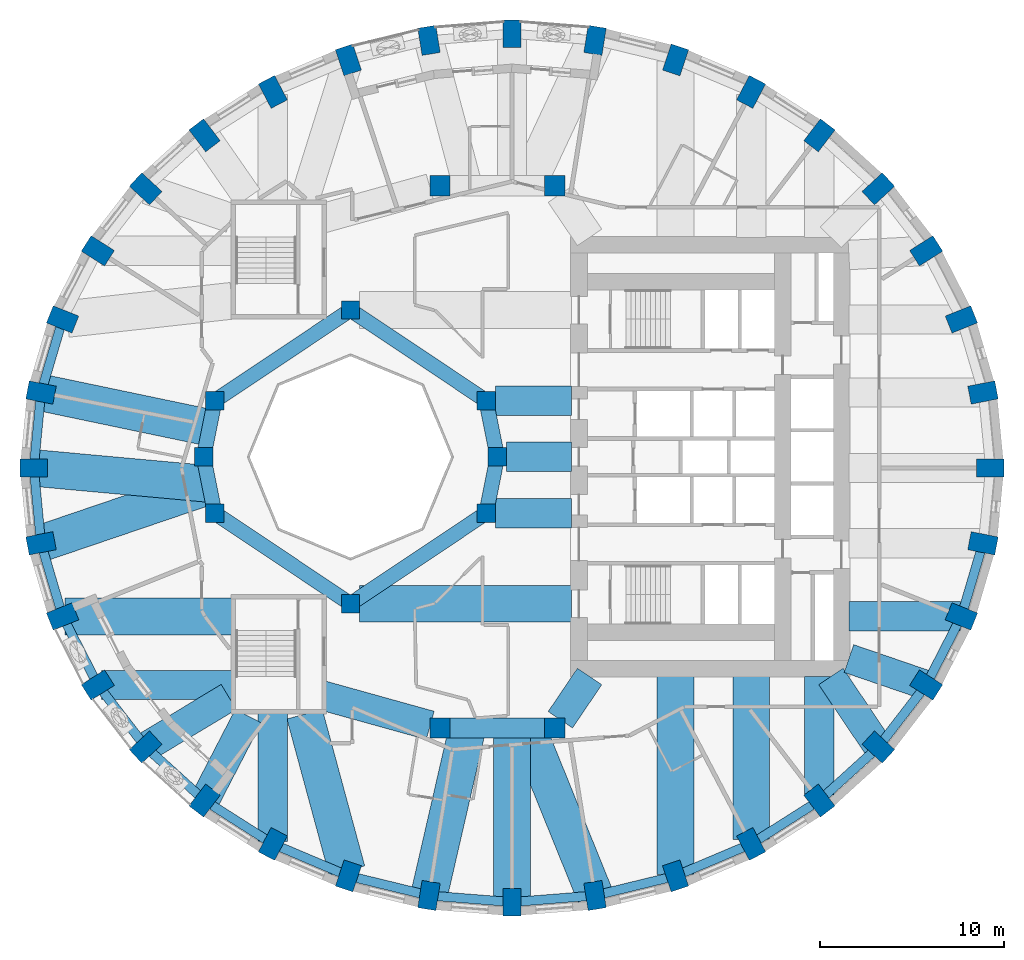
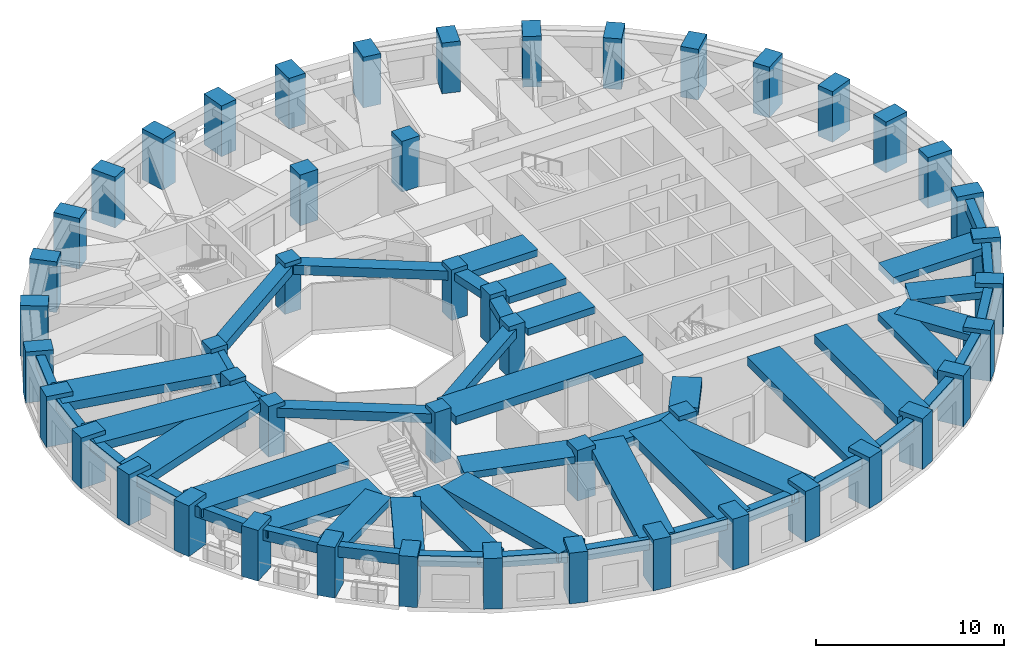
# One storey, part 1 of 12: 52 beams, 48 columns.
"""IFC4 building model written with IfcOpenShell, lengths in metres."""

from ifc_helpers import new_model, si_unit, direction, frame, origin, origin_2d, place, context, subcontext, project, spatial, rectangle, extrude, material, material_profile, profile_set, type_object, element, save


model = new_model("IFC4")

# Units and contexts
model_context = context("Model", 3, precision=1e-05, world=origin(), true_north=direction((0.0, 1.0)))
body_context = subcontext(model_context, "Body", "Model", "MODEL_VIEW")
ifc_project = project(units=[si_unit("LENGTHUNIT", "METRE"), si_unit("AREAUNIT", "SQUARE_METRE"), si_unit("VOLUMEUNIT", "CUBIC_METRE"), si_unit("PLANEANGLEUNIT", "RADIAN"), si_unit("MASSUNIT", "GRAM", prefix="KILO")], contexts=[model_context])

# Site, building, storey
site_placement = place(None, origin())
site = spatial("IfcSite", under=ifc_project, at=site_placement, CompositionType="ELEMENT")
building_placement = place(site_placement, origin())
building = spatial("IfcBuilding", under=site, at=building_placement, Name="Taillehof Tower", CompositionType="ELEMENT")
storey_placement = place(building_placement, frame((0.0, 0.0, 95.5)))
storey = spatial("IfcBuildingStorey", under=building, at=storey_placement, Name="L26", CompositionType="ELEMENT", Elevation=95.5)

# Columns
ifc_material_1 = material(Name="Concrete C50/60", Category="concrete")
ifc_material_profile_1 = material_profile(ifc_material_1, rectangle(XDim=1.0, YDim=1.0, at=origin_2d()), Name="RC 1000x1000")
ifc_profile_set_1 = profile_set([ifc_material_profile_1], Name="Concrete C50/60")
column_type_1 = type_object("IfcColumnType", Name="Atrium ring column C50/60 1000x1000", PredefinedType="COLUMN", material=ifc_profile_set_1)
for number, where, z_axis, x_axis, name in (
    (1, (0.0, 0.0, 0.0), (0.0, 0.0, 1.0), (1.0, 0.0, 0.0), "Column AC01"),
    (2, (-0.60888671875, 3.0615234375, 0.0), (0.0, 0.0, 1.0), (1.0, 0.0, 0.0), "Column AC02"),
    (3, (-8.0, 8.0, 0.0), (0.0, 0.0, 1.0), (1.0, 0.0, 0.0), "Column AC05"),
    (4, (-15.39111328125, 3.0615234375, 0.0), (0.0, 0.0, 1.0), (1.0, 0.0, 0.0), "Column AC08"),
    (5, (-16.0, 0.0, 0.0), (0.0, 0.0, 1.0), (1.0, 0.0, 0.0), "Column AC09"),
    (6, (-15.39111328125, -3.0615234375, 0.0), (0.0, 0.0, 1.0), (1.0, 0.0, 0.0), "Column AC10"),
    (7, (-8.0, -8.0, 0.0), (0.0, 0.0, 1.0), (1.0, 0.0, 0.0), "Column AC13"),
    (8, (-0.60888671875, -3.0615234375, 0.0), (0.0, 0.0, 1.0), (1.0, 0.0, 0.0), "Column AC16"),
):
    element("IfcColumn", number, at=place(storey_placement, frame(where, z_axis=z_axis, x_axis=x_axis)), inside=storey, type_object=column_type_1, Name=name, PredefinedType="COLUMN", context=body_context, shape_type="SweptSolid", body=[
        extrude(rectangle(XDim=1.0, YDim=1.0, at=origin_2d()), origin(), (0.0, 0.0, 1.0), 3.300048828125),
    ])
ifc_material_2 = material(Name="Concrete C50/60", Category="concrete")
ifc_material_profile_2 = material_profile(ifc_material_2, rectangle(XDim=1.10009765625, YDim=1.10009765625, at=origin_2d()), Name="RC 1100x1100")
ifc_profile_set_2 = profile_set([ifc_material_profile_2], Name="Concrete C50/60")
column_type_2 = type_object("IfcColumnType", Name="Mid-ring column C50/60 1100x1100", PredefinedType="COLUMN", material=ifc_profile_set_2)
for number, where, z_axis, x_axis, name in (
    (9, (3.125732421875, 14.772216796875, 0.0), (0.0, 0.0, 1.0), (1.0, 0.0, 0.0), "Column MC05"),
    (10, (3.125732421875, -14.772216796875, 0.0), (0.0, 0.0, 1.0), (1.0, 0.0, 0.0), "Column MC15"),
):
    element("IfcColumn", number, at=place(storey_placement, frame(where, z_axis=z_axis, x_axis=x_axis)), inside=storey, type_object=column_type_2, Name=name, PredefinedType="COLUMN", context=body_context, shape_type="SweptSolid", body=[
        extrude(rectangle(XDim=1.10009765625, YDim=1.10009765625, at=origin_2d()), origin(), (0.0, 0.0, 1.0), 3.300048828125),
    ])
ifc_material_3 = material(Name="Concrete C60/75", Category="concrete")
ifc_material_profile_3 = material_profile(ifc_material_3, rectangle(XDim=1.10009765625, YDim=1.10009765625, at=origin_2d()), Name="RC 1100x1100")
ifc_profile_set_3 = profile_set([ifc_material_profile_3], Name="Concrete C60/75")
column_type_3 = type_object("IfcColumnType", Name="Mid-ring column C60/75 1100x1100", PredefinedType="COLUMN", material=ifc_profile_set_3)
for number, where, z_axis, x_axis, name in (
    (11, (-3.125732421875, 14.772216796875, 0.0), (0.0, 0.0, 1.0), (1.0, 0.0, 0.0), "Column MC06"),
    (12, (-3.125732421875, -14.772216796875, 0.0), (0.0, 0.0, 1.0), (1.0, 0.0, 0.0), "Column MC14"),
):
    element("IfcColumn", number, at=place(storey_placement, frame(where, z_axis=z_axis, x_axis=x_axis)), inside=storey, type_object=column_type_3, Name=name, PredefinedType="COLUMN", context=body_context, shape_type="SweptSolid", body=[
        extrude(rectangle(XDim=1.10009765625, YDim=1.10009765625, at=origin_2d()), origin(), (0.0, 0.0, 1.0), 3.300048828125),
    ])
ifc_material_4 = material(Name="Concrete C70/85", Category="concrete")
ifc_material_profile_4 = material_profile(ifc_material_4, rectangle(XDim=1.5, YDim=1.0, at=origin_2d()), Name="RC 1500x1000")
ifc_profile_set_4 = profile_set([ifc_material_profile_4], Name="Concrete C70/85")
column_type_4 = type_object("IfcColumnType", Name="Ring column C70/85 1500x1000", PredefinedType="COLUMN", material=ifc_profile_set_4)
for number, where, z_axis, x_axis, name in (
    (13, (26.85009765625, -0.60009765625, 0.0), (0.0, 0.0, 1.0), (1.0, 0.0, 0.0), "Ring column RC01"),
    (14, (26.454345703125, 3.5068359375, 0.0), (0.0, 0.0, 1.0), (0.981757466121, 0.190137523166, 0.0), "Ring column RC02"),
    (15, (25.279052734375, 7.48876953125, 0.0), (0.0, 0.0, 1.0), (0.928550110352, 0.371207075048, 0.0), "Ring column RC03"),
    (16, (23.35986328125, 11.22509765625, 0.0), (0.0, 0.0, 1.0), (0.844511454562, 0.535537489923, 0.0), "Ring column RC04"),
    (17, (20.75537109375, 14.60205078125, 0.0), (0.0, 0.0, 1.0), (0.735332034083, 0.677707016085, 0.0), "Ring column RC05"),
    (18, (17.544677734375, 17.516845703125, 0.0), (0.0, 0.0, 1.0), (0.607074228939, 0.794645128694, 0.0), "Ring column RC06"),
    (19, (13.824951171875, 19.881591796875, 0.0), (0.0, 0.0, 1.0), (0.465283017627, 0.885161970211, 0.0), "Ring column RC07"),
    (20, (9.709716796875, 21.623779296875, 0.0), (0.0, 0.0, 1.0), (0.314554972703, 0.949239258116, 0.0), "Ring column RC08"),
    (21, (5.323486328125, 22.690673828125, 0.0), (0.0, 0.0, 1.0), (0.158507038215, 0.987357847407, 0.0), "Ring column RC09"),
    (22, (0.800048828125, 23.050048828125, 0.0), (0.0, 0.0, 1.0), (0.0, 1.0, 0.0), "Ring column RC10"),
    (23, (-3.7236328125, 22.690673828125, 0.0), (0.0, 0.0, 1.0), (-0.158507038215, 0.987357847407, 0.0), "Ring column RC11"),
    (24, (-8.109619140625, 21.623779296875, 0.0), (0.0, 0.0, 1.0), (-0.314554972703, 0.949239258116, 0.0), "Ring column RC12"),
    (25, (-12.22509765625, 19.881591796875, 0.0), (0.0, 0.0, 1.0), (-0.465283017627, 0.885161970211, 0.0), "Ring column RC13"),
    (26, (-15.944580078125, 17.516845703125, 0.0), (0.0, 0.0, 1.0), (-0.607074228939, 0.794645128694, 0.0), "Ring column RC14"),
    (27, (-19.155517578125, 14.60205078125, 0.0), (0.0, 0.0, 1.0), (-0.735332034083, 0.677707016085, 0.0), "Ring column RC15"),
    (28, (-21.760009765625, 11.22509765625, 0.0), (0.0, 0.0, 1.0), (-0.844511454562, 0.535537489923, 0.0), "Ring column RC16"),
    (29, (-23.678955078125, 7.48876953125, 0.0), (0.0, 0.0, 1.0), (-0.928550110352, 0.371207075048, 0.0), "Ring column RC17"),
    (30, (-24.854248046875, 3.5068359375, 0.0), (0.0, 0.0, 1.0), (-0.981757466121, 0.190137523166, 0.0), "Ring column RC18"),
    (31, (-25.25, -0.60009765625, 0.0), (0.0, 0.0, 1.0), (-1.0, 0.0, 0.0), "Ring column RC19"),
    (32, (-24.854248046875, -4.706787109375, 0.0), (0.0, 0.0, 1.0), (-0.981757466121, -0.190137523166, 0.0), "Ring column RC20"),
    (33, (-23.678955078125, -8.688720703125, 0.0), (0.0, 0.0, 1.0), (-0.928550110352, -0.371207075048, 0.0), "Ring column RC21"),
    (34, (-21.760009765625, -12.425048828125, 0.0), (0.0, 0.0, 1.0), (-0.844511454562, -0.535537489923, 0.0), "Ring column RC22"),
    (35, (-19.155517578125, -15.802001953125, 0.0), (0.0, 0.0, 1.0), (-0.735332034083, -0.677707016085, 0.0), "Ring column RC23"),
    (36, (-15.944580078125, -18.717041015625, 0.0), (0.0, 0.0, 1.0), (-0.607074228939, -0.794645128694, 0.0), "Ring column RC24"),
    (37, (-12.22509765625, -21.08154296875, 0.0), (0.0, 0.0, 1.0), (-0.465283017627, -0.885161970211, 0.0), "Ring column RC25"),
    (38, (-8.109619140625, -22.82373046875, 0.0), (0.0, 0.0, 1.0), (-0.314554972703, -0.949239258116, 0.0), "Ring column RC26"),
    (39, (-3.7236328125, -23.890625, 0.0), (0.0, 0.0, 1.0), (-0.158507038215, -0.987357847407, 0.0), "Ring column RC27"),
    (40, (0.800048828125, -24.25, 0.0), (0.0, 0.0, 1.0), (0.0, -1.0, 0.0), "Ring column RC28"),
    (41, (5.323486328125, -23.890625, 0.0), (0.0, 0.0, 1.0), (0.158507038215, -0.987357847407, 0.0), "Ring column RC29"),
    (42, (9.709716796875, -22.82373046875, 0.0), (0.0, 0.0, 1.0), (0.314554972703, -0.949239258116, 0.0), "Ring column RC30"),
    (43, (13.824951171875, -21.08154296875, 0.0), (0.0, 0.0, 1.0), (0.465283017627, -0.885161970211, 0.0), "Ring column RC31"),
    (44, (17.544677734375, -18.717041015625, 0.0), (0.0, 0.0, 1.0), (0.607074228939, -0.794645128694, 0.0), "Ring column RC32"),
    (45, (20.75537109375, -15.802001953125, 0.0), (0.0, 0.0, 1.0), (0.735332034083, -0.677707016085, 0.0), "Ring column RC33"),
    (46, (23.35986328125, -12.425048828125, 0.0), (0.0, 0.0, 1.0), (0.844511454562, -0.535537489923, 0.0), "Ring column RC34"),
    (47, (25.279052734375, -8.688720703125, 0.0), (0.0, 0.0, 1.0), (0.928550110352, -0.371207075048, 0.0), "Ring column RC35"),
    (48, (26.454345703125, -4.706787109375, 0.0), (0.0, 0.0, 1.0), (0.981757466121, -0.190137523166, 0.0), "Ring column RC36"),
):
    element("IfcColumn", number, at=place(storey_placement, frame(where, z_axis=z_axis, x_axis=x_axis)), inside=storey, type_object=column_type_4, Name=name, PredefinedType="COLUMN", context=body_context, shape_type="SweptSolid", body=[
        extrude(rectangle(XDim=1.5, YDim=1.0, at=origin_2d()), origin(), (0.0, 0.0, 1.0), 3.300048828125),
    ])

# Beams
ifc_material_5 = material(Name="Concrete C50/60", Category="concrete")
ifc_material_profile_5 = material_profile(ifc_material_5, rectangle(XDim=0.800048828125, YDim=0.5, at=origin_2d()), Name="RC 800x500")
ifc_profile_set_5 = profile_set([ifc_material_profile_5], Name="Concrete C50/60")
beam_type_1 = type_object("IfcBeamType", Name="Atrium ring beam C50/60 800x500", PredefinedType="BEAM", material=ifc_profile_set_5)
for number, where, z_axis, x_axis, name in (
    (49, (0.0, 0.0, 2.77001953125), (-0.195063155143, 0.980790683839, 0.0), (-0.980790683839, -0.195063155143, 0.0), "Atrium ring beam AB01"),
    (50, (-15.39111328125, 3.0615234375, 2.77001953125), (-0.195063155143, -0.980790683839, 0.0), (0.980790683839, -0.195063155143, 0.0), "Atrium ring beam AB04"),
    (51, (-16.0, 0.0, 2.77001953125), (0.195063155143, -0.980790683839, 0.0), (0.980790683839, 0.195063155143, 0.0), "Atrium ring beam AB05"),
    (52, (-0.60888671875, -3.0615234375, 2.77001953125), (0.195063155143, 0.980790683839, 0.0), (-0.980790683839, 0.195063155143, 0.0), "Atrium ring beam AB08"),
):
    element("IfcBeam", number, at=place(storey_placement, frame(where, z_axis=z_axis, x_axis=x_axis)), inside=storey, type_object=beam_type_1, Name=name, PredefinedType="BEAM", context=body_context, shape_type="SweptSolid", body=[
        extrude(rectangle(XDim=0.800048828125, YDim=0.5, at=origin_2d()), origin(), (0.0, 0.0, 1.0), 3.12158203125),
    ])
ifc_material_6 = material(Name="Concrete C50/60", Category="concrete")
ifc_material_profile_6 = material_profile(ifc_material_6, rectangle(XDim=0.800048828125, YDim=0.60009765625, at=origin_2d()), Name="RC 800x600")
ifc_profile_set_6 = profile_set([ifc_material_profile_6], Name="Concrete C50/60")
beam_type_2 = type_object("IfcBeamType", Name="Atrium ring beam C50/60 800x600", PredefinedType="BEAM", material=ifc_profile_set_6)
for number, where, z_axis, x_axis, name in (
    (53, (-0.60888671875, 3.0615234375, 2.719970703125), (-0.831475195687, 0.555561876804, 0.0), (-0.555561876804, -0.831475195687, 0.0), "Atrium ring beam AB02"),
    (54, (-8.0, 8.0, 2.719970703125), (-0.831475195687, -0.555561876804, 0.0), (0.555561876804, -0.831475195687, 0.0), "Atrium ring beam AB03"),
    (55, (-15.39111328125, -3.0615234375, 2.719970703125), (0.831475195687, -0.555561876804, 0.0), (0.555561876804, 0.831475195687, 0.0), "Atrium ring beam AB06"),
    (56, (-8.0, -8.0, 2.719970703125), (0.831475195687, 0.555561876804, 0.0), (-0.555561876804, 0.831475195687, 0.0), "Atrium ring beam AB07"),
):
    element("IfcBeam", number, at=place(storey_placement, frame(where, z_axis=z_axis, x_axis=x_axis)), inside=storey, type_object=beam_type_2, Name=name, PredefinedType="BEAM", context=body_context, shape_type="SweptSolid", body=[
        extrude(rectangle(XDim=0.800048828125, YDim=0.60009765625, at=origin_2d()), origin(), (0.0, 0.0, 1.0), 8.88916015625),
    ])
ifc_material_7 = material(Name="Concrete C50/60", Category="concrete")
ifc_material_profile_7 = material_profile(ifc_material_7, rectangle(XDim=1.10009765625, YDim=0.60009765625, at=origin_2d()), Name="RC 1100x600")
ifc_profile_set_7 = profile_set([ifc_material_profile_7], Name="Concrete C50/60")
beam_type_3 = type_object("IfcBeamType", Name="Mid-ring beam C50/60 1100x600", PredefinedType="BEAM", material=ifc_profile_set_7)
beam_1_placement = place(storey_placement, frame((-3.125732421875, -14.772216796875, 2.719970703125), z_axis=(1.0, 0.0, 0.0), x_axis=(0.0, 1.0, 0.0)))
element("IfcBeam", 57, at=beam_1_placement, inside=storey, type_object=beam_type_3, Name="Mid-ring beam MB02", PredefinedType="BEAM", context=body_context, shape_type="SweptSolid", body=[
    extrude(rectangle(XDim=1.10009765625, YDim=0.60009765625, at=origin_2d()), origin(), (0.0, 0.0, 1.0), 6.25146484375),
])
ifc_material_8 = material(Name="Concrete C50/60", Category="concrete")
ifc_material_profile_8 = material_profile(ifc_material_8, rectangle(XDim=1.60009765625, YDim=0.449951171875, at=origin_2d()), Name="RC 1600x450")
ifc_profile_set_8 = profile_set([ifc_material_profile_8], Name="Concrete C50/60")
beam_type_4 = type_object("IfcBeamType", Name="Radial band beam C50/60 1600x450", PredefinedType="BEAM", material=ifc_profile_set_8)
beam_2_placement = place(storey_placement, frame((-21.54736328125, -12.425048828125, 2.794921875), z_axis=(1.0, 0.0, 0.0), x_axis=(0.0, 1.0, 0.0)))
element("IfcBeam", 58, at=beam_2_placement, inside=storey, type_object=beam_type_4, Name="Radial band beam RB22", PredefinedType="BEAM", context=body_context, shape_type="SweptSolid", body=[
    extrude(rectangle(XDim=1.60009765625, YDim=0.449951171875, at=origin_2d()), origin(), (0.0, 0.0, 1.0), 7.097412109375),
])
beam_3_placement = place(storey_placement, frame((-19.155517578125, -15.802001953125, 2.794921875), z_axis=(0.856794973818, 0.515657224171, 0.0), x_axis=(-0.515657224171, 0.856794973818, 0.0)))
element("IfcBeam", 59, at=beam_3_placement, inside=storey, type_object=beam_type_4, Name="Radial band beam RB23", PredefinedType="BEAM", context=body_context, shape_type="SweptSolid", body=[
    extrude(rectangle(XDim=1.60009765625, YDim=0.449951171875, at=origin_2d()), origin(), (0.0, 0.0, 1.0), 5.28369140625),
])
beam_4_placement = place(storey_placement, frame((-15.944580078125, -18.717041015625, 2.794921875), z_axis=(0.460119038647, 0.8878572353, 0.0), x_axis=(-0.8878572353, 0.460119038647, 0.0)))
element("IfcBeam", 60, at=beam_4_placement, inside=storey, type_object=beam_type_4, Name="Radial band beam RB24", PredefinedType="BEAM", context=body_context, shape_type="SweptSolid", body=[
    extrude(rectangle(XDim=1.60009765625, YDim=0.449951171875, at=origin_2d()), origin(), (0.0, 0.0, 1.0), 5.1796875),
])
beam_5_placement = place(storey_placement, frame((-12.22509765625, -20.9443359375, 2.794921875), z_axis=(0.0, 1.0, 0.0), x_axis=(-1.0, 0.0, 0.0)))
element("IfcBeam", 61, at=beam_5_placement, inside=storey, type_object=beam_type_4, Name="Radial band beam RB25", PredefinedType="BEAM", context=body_context, shape_type="SweptSolid", body=[
    extrude(rectangle(XDim=1.60009765625, YDim=0.449951171875, at=origin_2d()), origin(), (0.0, 0.0, 1.0), 6.994384765625),
])
beam_6_placement = place(storey_placement, frame((17.544677734375, -18.421875, 2.794921875), z_axis=(0.0, 1.0, 0.0), x_axis=(-1.0, 0.0, 0.0)))
element("IfcBeam", 62, at=beam_6_placement, inside=storey, type_object=beam_type_4, Name="Radial band beam RB32", PredefinedType="BEAM", context=body_context, shape_type="SweptSolid", body=[
    extrude(rectangle(XDim=1.60009765625, YDim=0.449951171875, at=origin_2d()), origin(), (0.0, 0.0, 1.0), 6.471923828125),
])
beam_7_placement = place(storey_placement, frame((20.75537109375, -15.802001953125, 2.794921875), z_axis=(-0.557822939952, 0.829959979555, 0.0), x_axis=(-0.829959979555, -0.557822939952, 0.0)))
element("IfcBeam", 63, at=beam_7_placement, inside=storey, type_object=beam_type_4, Name="Radial band beam RB33", PredefinedType="BEAM", context=body_context, shape_type="SweptSolid", body=[
    extrude(rectangle(XDim=1.60009765625, YDim=0.449951171875, at=origin_2d()), origin(), (0.0, 0.0, 1.0), 4.630859375),
])
beam_8_placement = place(storey_placement, frame((23.35986328125, -12.425048828125, 2.794921875), z_axis=(-0.946037817118, 0.324056242932, 0.0), x_axis=(-0.324056242932, -0.946037817118, 0.0)))
element("IfcBeam", 64, at=beam_8_placement, inside=storey, type_object=beam_type_4, Name="Radial band beam RB34", PredefinedType="BEAM", context=body_context, shape_type="SweptSolid", body=[
    extrude(rectangle(XDim=1.60009765625, YDim=0.449951171875, at=origin_2d()), origin(), (0.0, 0.0, 1.0), 4.447265625),
])
beam_9_placement = place(storey_placement, frame((25.2275390625, -8.688720703125, 2.794921875), z_axis=(-1.0, 0.0, 0.0), x_axis=(0.0, -1.0, 0.0)))
element("IfcBeam", 65, at=beam_9_placement, inside=storey, type_object=beam_type_4, Name="Radial band beam RB35", PredefinedType="BEAM", context=body_context, shape_type="SweptSolid", body=[
    extrude(rectangle(XDim=1.60009765625, YDim=0.449951171875, at=origin_2d()), origin(), (0.0, 0.0, 1.0), 6.07763671875),
])
beam_10_placement = place(storey_placement, frame((0.5, 0.0, 2.794921875), z_axis=(1.0, 0.0, 0.0), x_axis=(0.0, 1.0, 0.0)))
element("IfcBeam", 66, at=beam_10_placement, inside=storey, type_object=beam_type_4, Name="Inner band beam IB101", PredefinedType="BEAM", context=body_context, shape_type="SweptSolid", body=[
    extrude(rectangle(XDim=1.60009765625, YDim=0.449951171875, at=origin_2d()), origin(), (0.0, 0.0, 1.0), 3.550048828125),
])
for number, where, z_axis, x_axis, name in (
    (67, (-0.10888671875, 3.0615234375, 2.794921875), (1.0, 0.0, 0.0), (0.0, 1.0, 0.0), "Inner band beam IB102"),
    (68, (-0.10888671875, -3.0615234375, 2.794921875), (1.0, 0.0, 0.0), (0.0, 1.0, 0.0), "Inner band beam IB116"),
):
    element("IfcBeam", number, at=place(storey_placement, frame(where, z_axis=z_axis, x_axis=x_axis)), inside=storey, type_object=beam_type_4, Name=name, PredefinedType="BEAM", context=body_context, shape_type="SweptSolid", body=[
        extrude(rectangle(XDim=1.60009765625, YDim=0.449951171875, at=origin_2d()), origin(), (0.0, 0.0, 1.0), 4.158935546875),
    ])
beam_11_placement = place(storey_placement, frame((-3.655517578125, -14.624755859375, 2.794921875), z_axis=(-0.963459369536, 0.267854518821, 0.0), x_axis=(-0.267854518821, -0.963459369536, 0.0)))
element("IfcBeam", 69, at=beam_11_placement, inside=storey, type_object=beam_type_4, Name="Inner band beam IB214", PredefinedType="BEAM", context=body_context, shape_type="SweptSolid", body=[
    extrude(rectangle(XDim=1.60009765625, YDim=0.449951171875, at=origin_2d()), origin(), (0.0, 0.0, 1.0), 6.096923828125),
])
beam_12_placement = place(storey_placement, frame((3.433837890625, -14.31640625, 2.794921875), z_axis=(0.560112043398, 0.828416862962, 0.0), x_axis=(-0.828416862962, 0.560112043398, 0.0)))
element("IfcBeam", 70, at=beam_12_placement, inside=storey, type_object=beam_type_4, Name="Inner band beam IB215", PredefinedType="BEAM", context=body_context, shape_type="SweptSolid", body=[
    extrude(rectangle(XDim=1.60009765625, YDim=0.449951171875, at=origin_2d()), origin(), (0.0, 0.0, 1.0), 2.84619140625),
])
ifc_material_9 = material(Name="Concrete C50/60", Category="concrete")
ifc_material_profile_9 = material_profile(ifc_material_9, rectangle(XDim=2.0, YDim=0.550048828125, at=origin_2d()), Name="RC 2000x550")
ifc_profile_set_9 = profile_set([ifc_material_profile_9], Name="Concrete C50/60")
beam_type_5 = type_object("IfcBeamType", Name="Radial band beam C50/60 2000x550", PredefinedType="BEAM", material=ifc_profile_set_9)
beam_13_placement = place(storey_placement, frame((-24.854248046875, 3.5068359375, 2.7451171875), z_axis=(0.978853404319, -0.204562980164, 0.0), x_axis=(0.204562980164, 0.978853404319, 0.0)))
element("IfcBeam", 71, at=beam_13_placement, inside=storey, type_object=beam_type_5, Name="Radial band beam RB18", PredefinedType="BEAM", context=body_context, shape_type="SweptSolid", body=[
    extrude(rectangle(XDim=2.0, YDim=0.550048828125, at=origin_2d()), origin(), (0.0, 0.0, 1.0), 9.36865234375),
])
beam_14_placement = place(storey_placement, frame((-25.25, -0.60009765625, 2.7451171875), z_axis=(0.995859515154, -0.090905588816, 0.0), x_axis=(0.090905588816, 0.995859515154, 0.0)))
element("IfcBeam", 72, at=beam_14_placement, inside=storey, type_object=beam_type_5, Name="Radial band beam RB19", PredefinedType="BEAM", context=body_context, shape_type="SweptSolid", body=[
    extrude(rectangle(XDim=2.0, YDim=0.550048828125, at=origin_2d()), origin(), (0.0, 0.0, 1.0), 9.58251953125),
])
beam_15_placement = place(storey_placement, frame((-24.854248046875, -4.706787109375, 2.7451171875), z_axis=(0.946822052625, 0.321757673822, 0.0), x_axis=(-0.321757673822, 0.946822052625, 0.0)))
element("IfcBeam", 73, at=beam_15_placement, inside=storey, type_object=beam_type_5, Name="Radial band beam RB20", PredefinedType="BEAM", context=body_context, shape_type="SweptSolid", body=[
    extrude(rectangle(XDim=2.0, YDim=0.550048828125, at=origin_2d()), origin(), (0.0, 0.0, 1.0), 9.685791015625),
])
beam_16_placement = place(storey_placement, frame((-23.54736328125, -8.688720703125, 2.7451171875), z_axis=(1.0, 0.0, 0.0), x_axis=(0.0, 1.0, 0.0)))
element("IfcBeam", 74, at=beam_16_placement, inside=storey, type_object=beam_type_5, Name="Radial band beam RB21", PredefinedType="BEAM", context=body_context, shape_type="SweptSolid", body=[
    extrude(rectangle(XDim=2.0, YDim=0.550048828125, at=origin_2d()), origin(), (0.0, 0.0, 1.0), 9.097412109375),
])
beam_17_placement = place(storey_placement, frame((-8.186767578125, -22.539306640625, 2.7451171875), z_axis=(-0.261461600872, 0.965213878511, 0.0), x_axis=(-0.965213878511, -0.261461600872, 0.0)))
element("IfcBeam", 75, at=beam_17_placement, inside=storey, type_object=beam_type_5, Name="Radial band beam RB26", PredefinedType="BEAM", context=body_context, shape_type="SweptSolid", body=[
    extrude(rectangle(XDim=2.0, YDim=0.550048828125, at=origin_2d()), origin(), (0.0, 0.0, 1.0), 8.835205078125),
])
beam_18_placement = place(storey_placement, frame((-3.7236328125, -23.890625, 2.7451171875), z_axis=(0.224215346781, 0.974539623755, 0.0), x_axis=(-0.974539623755, 0.224215346781, 0.0)))
element("IfcBeam", 76, at=beam_18_placement, inside=storey, type_object=beam_type_5, Name="Radial band beam RB27", PredefinedType="BEAM", context=body_context, shape_type="SweptSolid", body=[
    extrude(rectangle(XDim=2.0, YDim=0.550048828125, at=origin_2d()), origin(), (0.0, 0.0, 1.0), 9.356689453125),
])
beam_19_placement = place(storey_placement, frame((0.800048828125, -24.25, 2.7451171875), z_axis=(0.0, 1.0, 0.0), x_axis=(-1.0, 0.0, 0.0)))
element("IfcBeam", 77, at=beam_19_placement, inside=storey, type_object=beam_type_5, Name="Radial band beam RB28", PredefinedType="BEAM", context=body_context, shape_type="SweptSolid", body=[
    extrude(rectangle(XDim=2.0, YDim=0.550048828125, at=origin_2d()), origin(), (0.0, 0.0, 1.0), 9.477783203125),
])
beam_20_placement = place(storey_placement, frame((5.323486328125, -23.890625, 2.7451171875), z_axis=(-0.375801287916, 0.926700270854, 0.0), x_axis=(-0.926700270854, -0.375801287916, 0.0)))
element("IfcBeam", 78, at=beam_20_placement, inside=storey, type_object=beam_type_5, Name="Radial band beam RB29", PredefinedType="BEAM", context=body_context, shape_type="SweptSolid", body=[
    extrude(rectangle(XDim=2.0, YDim=0.550048828125, at=origin_2d()), origin(), (0.0, 0.0, 1.0), 9.839599609375),
])
beam_21_placement = place(storey_placement, frame((9.709716796875, -22.756591796875, 2.7451171875), z_axis=(0.0, 1.0, 0.0), x_axis=(-1.0, 0.0, 0.0)))
element("IfcBeam", 79, at=beam_21_placement, inside=storey, type_object=beam_type_5, Name="Radial band beam RB30", PredefinedType="BEAM", context=body_context, shape_type="SweptSolid", body=[
    extrude(rectangle(XDim=2.0, YDim=0.550048828125, at=origin_2d()), origin(), (0.0, 0.0, 1.0), 10.806640625),
])
beam_22_placement = place(storey_placement, frame((13.824951171875, -20.839599609375, 2.7451171875), z_axis=(0.0, 1.0, 0.0), x_axis=(-1.0, 0.0, 0.0)))
element("IfcBeam", 80, at=beam_22_placement, inside=storey, type_object=beam_type_5, Name="Radial band beam RB31", PredefinedType="BEAM", context=body_context, shape_type="SweptSolid", body=[
    extrude(rectangle(XDim=2.0, YDim=0.550048828125, at=origin_2d()), origin(), (0.0, 0.0, 1.0), 8.8896484375),
])
beam_23_placement = place(storey_placement, frame((-7.5, -8.0, 2.7451171875), z_axis=(1.0, 0.0, 0.0), x_axis=(0.0, 1.0, 0.0)))
element("IfcBeam", 81, at=beam_23_placement, inside=storey, type_object=beam_type_5, Name="Inner band beam IB113", PredefinedType="BEAM", context=body_context, shape_type="SweptSolid", body=[
    extrude(rectangle(XDim=2.0, YDim=0.550048828125, at=origin_2d()), origin(), (0.0, 0.0, 1.0), 11.550048828125),
])
ifc_material_10 = material(Name="Concrete C50/60", Category="concrete")
ifc_material_profile_10 = material_profile(ifc_material_10, rectangle(XDim=0.5, YDim=0.699951171875, at=origin_2d()), Name="RC 500x700")
ifc_profile_set_10 = profile_set([ifc_material_profile_10], Name="Concrete C50/60")
beam_type_6 = type_object("IfcBeamType", Name="Spandrel beam C50/60 500x700", PredefinedType="SPANDREL", material=ifc_profile_set_10)
beam_24_placement = place(storey_placement, frame((-23.678955078125, 7.48876953125, 2.669921875), z_axis=(-0.28308309012, -0.95909538842, 0.0), x_axis=(0.95909538842, -0.28308309012, 0.0)))
element("IfcBeam", 82, at=beam_24_placement, inside=storey, type_object=beam_type_6, Name="Spandrel beam SB17", PredefinedType="SPANDREL", context=body_context, shape_type="SweptSolid", body=[
    extrude(rectangle(XDim=0.5, YDim=0.699951171875, at=origin_2d()), origin(), (0.0, 0.0, 1.0), 4.15185546875),
])
beam_25_placement = place(storey_placement, frame((-24.854248046875, 3.5068359375, 2.669921875), z_axis=(-0.095917608943, -0.995389276763, 0.0), x_axis=(0.995389276763, -0.095917608943, 0.0)))
element("IfcBeam", 83, at=beam_25_placement, inside=storey, type_object=beam_type_6, Name="Spandrel beam SB18", PredefinedType="SPANDREL", context=body_context, shape_type="SweptSolid", body=[
    extrude(rectangle(XDim=0.5, YDim=0.699951171875, at=origin_2d()), origin(), (0.0, 0.0, 1.0), 4.1259765625),
])
beam_26_placement = place(storey_placement, frame((-25.25, -0.60009765625, 2.669921875), z_axis=(0.09592325873, -0.995388732323, 0.0), x_axis=(0.995388732323, 0.09592325873, 0.0)))
element("IfcBeam", 84, at=beam_26_placement, inside=storey, type_object=beam_type_6, Name="Spandrel beam SB19", PredefinedType="SPANDREL", context=body_context, shape_type="SweptSolid", body=[
    extrude(rectangle(XDim=0.5, YDim=0.699951171875, at=origin_2d()), origin(), (0.0, 0.0, 1.0), 4.125732421875),
])
beam_27_placement = place(storey_placement, frame((-24.854248046875, -4.706787109375, 2.669921875), z_axis=(0.28308309012, -0.95909538842, 0.0), x_axis=(0.95909538842, 0.28308309012, 0.0)))
element("IfcBeam", 85, at=beam_27_placement, inside=storey, type_object=beam_type_6, Name="Spandrel beam SB20", PredefinedType="SPANDREL", context=body_context, shape_type="SweptSolid", body=[
    extrude(rectangle(XDim=0.5, YDim=0.699951171875, at=origin_2d()), origin(), (0.0, 0.0, 1.0), 4.15185546875),
])
beam_28_placement = place(storey_placement, frame((-23.678955078125, -8.688720703125, 2.669921875), z_axis=(0.456859381733, -0.889538928503, 0.0), x_axis=(0.889538928503, 0.456859381733, 0.0)))
element("IfcBeam", 86, at=beam_28_placement, inside=storey, type_object=beam_type_6, Name="Spandrel beam SB21", PredefinedType="SPANDREL", context=body_context, shape_type="SweptSolid", body=[
    extrude(rectangle(XDim=0.5, YDim=0.699951171875, at=origin_2d()), origin(), (0.0, 0.0, 1.0), 4.2001953125),
])
beam_29_placement = place(storey_placement, frame((-21.760009765625, -12.425048828125, 2.669921875), z_axis=(0.61071731561, -0.79184869793, 0.0), x_axis=(0.79184869793, 0.61071731561, 0.0)))
element("IfcBeam", 87, at=beam_29_placement, inside=storey, type_object=beam_type_6, Name="Spandrel beam SB22", PredefinedType="SPANDREL", context=body_context, shape_type="SweptSolid", body=[
    extrude(rectangle(XDim=0.5, YDim=0.699951171875, at=origin_2d()), origin(), (0.0, 0.0, 1.0), 4.2646484375),
])
beam_30_placement = place(storey_placement, frame((-19.155517578125, -15.802001953125, 2.669921875), z_axis=(0.740398416885, -0.672168270803, 0.0), x_axis=(0.672168270803, 0.740398416885, 0.0)))
element("IfcBeam", 88, at=beam_30_placement, inside=storey, type_object=beam_type_6, Name="Spandrel beam SB23", PredefinedType="SPANDREL", context=body_context, shape_type="SweptSolid", body=[
    extrude(rectangle(XDim=0.5, YDim=0.699951171875, at=origin_2d()), origin(), (0.0, 0.0, 1.0), 4.336669921875),
])
beam_31_placement = place(storey_placement, frame((-15.944580078125, -18.717041015625, 2.669921875), z_axis=(0.843912293293, -0.536481165773, 0.0), x_axis=(0.536481165773, 0.843912293293, 0.0)))
element("IfcBeam", 89, at=beam_31_placement, inside=storey, type_object=beam_type_6, Name="Spandrel beam SB24", PredefinedType="SPANDREL", context=body_context, shape_type="SweptSolid", body=[
    extrude(rectangle(XDim=0.5, YDim=0.699951171875, at=origin_2d()), origin(), (0.0, 0.0, 1.0), 4.407470703125),
])
beam_32_placement = place(storey_placement, frame((-12.22509765625, -21.08154296875, 2.669921875), z_axis=(0.920885046825, -0.389834234688, 0.0), x_axis=(0.389834234688, 0.920885046825, 0.0)))
element("IfcBeam", 90, at=beam_32_placement, inside=storey, type_object=beam_type_6, Name="Spandrel beam SB25", PredefinedType="SPANDREL", context=body_context, shape_type="SweptSolid", body=[
    extrude(rectangle(XDim=0.5, YDim=0.699951171875, at=origin_2d()), origin(), (0.0, 0.0, 1.0), 4.468994140625),
])
beam_33_placement = place(storey_placement, frame((-8.109619140625, -22.82373046875, 2.669921875), z_axis=(0.971665924588, -0.236358479847, 0.0), x_axis=(0.236358479847, 0.971665924588, 0.0)))
element("IfcBeam", 91, at=beam_33_placement, inside=storey, type_object=beam_type_6, Name="Spandrel beam SB26", PredefinedType="SPANDREL", context=body_context, shape_type="SweptSolid", body=[
    extrude(rectangle(XDim=0.5, YDim=0.699951171875, at=origin_2d()), origin(), (0.0, 0.0, 1.0), 4.513916015625),
])
beam_34_placement = place(storey_placement, frame((-3.7236328125, -23.890625, 2.669921875), z_axis=(0.996859260648, -0.079193525375, 0.0), x_axis=(0.079193525375, 0.996859260648, 0.0)))
element("IfcBeam", 92, at=beam_34_placement, inside=storey, type_object=beam_type_6, Name="Spandrel beam SB27", PredefinedType="SPANDREL", context=body_context, shape_type="SweptSolid", body=[
    extrude(rectangle(XDim=0.5, YDim=0.699951171875, at=origin_2d()), origin(), (0.0, 0.0, 1.0), 4.537841796875),
])
beam_35_placement = place(storey_placement, frame((0.800048828125, -24.25, 2.669921875), z_axis=(0.996858923208, 0.079197772828, 0.0), x_axis=(-0.079197772828, 0.996858923208, 0.0)))
element("IfcBeam", 93, at=beam_35_placement, inside=storey, type_object=beam_type_6, Name="Spandrel beam SB28", PredefinedType="SPANDREL", context=body_context, shape_type="SweptSolid", body=[
    extrude(rectangle(XDim=0.5, YDim=0.699951171875, at=origin_2d()), origin(), (0.0, 0.0, 1.0), 4.53759765625),
])
beam_36_placement = place(storey_placement, frame((5.323486328125, -23.890625, 2.669921875), z_axis=(0.971668945916, 0.23634605887, 0.0), x_axis=(-0.23634605887, 0.971668945916, 0.0)))
element("IfcBeam", 94, at=beam_36_placement, inside=storey, type_object=beam_type_6, Name="Spandrel beam SB29", PredefinedType="SPANDREL", context=body_context, shape_type="SweptSolid", body=[
    extrude(rectangle(XDim=0.5, YDim=0.699951171875, at=origin_2d()), origin(), (0.0, 0.0, 1.0), 4.51416015625),
])
beam_37_placement = place(storey_placement, frame((9.709716796875, -22.82373046875, 2.669921875), z_axis=(0.920876744153, 0.389853847074, 0.0), x_axis=(-0.389853847074, 0.920876744153, 0.0)))
element("IfcBeam", 95, at=beam_37_placement, inside=storey, type_object=beam_type_6, Name="Spandrel beam SB30", PredefinedType="SPANDREL", context=body_context, shape_type="SweptSolid", body=[
    extrude(rectangle(XDim=0.5, YDim=0.699951171875, at=origin_2d()), origin(), (0.0, 0.0, 1.0), 4.46875),
])
beam_38_placement = place(storey_placement, frame((13.824951171875, -21.08154296875, 2.669921875), z_axis=(0.843928234947, 0.536456087914, 0.0), x_axis=(-0.536456087914, 0.843928234947, 0.0)))
element("IfcBeam", 96, at=beam_38_placement, inside=storey, type_object=beam_type_6, Name="Spandrel beam SB31", PredefinedType="SPANDREL", context=body_context, shape_type="SweptSolid", body=[
    extrude(rectangle(XDim=0.5, YDim=0.699951171875, at=origin_2d()), origin(), (0.0, 0.0, 1.0), 4.40771484375),
])
beam_39_placement = place(storey_placement, frame((17.544677734375, -18.717041015625, 2.669921875), z_axis=(0.740372980414, 0.672196288202, 0.0), x_axis=(-0.672196288202, 0.740372980414, 0.0)))
element("IfcBeam", 97, at=beam_39_placement, inside=storey, type_object=beam_type_6, Name="Spandrel beam SB32", PredefinedType="SPANDREL", context=body_context, shape_type="SweptSolid", body=[
    extrude(rectangle(XDim=0.5, YDim=0.699951171875, at=origin_2d()), origin(), (0.0, 0.0, 1.0), 4.336669921875),
])
beam_40_placement = place(storey_placement, frame((20.75537109375, -15.802001953125, 2.669921875), z_axis=(0.61071731561, 0.79184869793, 0.0), x_axis=(-0.79184869793, 0.61071731561, 0.0)))
element("IfcBeam", 98, at=beam_40_placement, inside=storey, type_object=beam_type_6, Name="Spandrel beam SB33", PredefinedType="SPANDREL", context=body_context, shape_type="SweptSolid", body=[
    extrude(rectangle(XDim=0.5, YDim=0.699951171875, at=origin_2d()), origin(), (0.0, 0.0, 1.0), 4.2646484375),
])
beam_41_placement = place(storey_placement, frame((23.35986328125, -12.425048828125, 2.669921875), z_axis=(0.456905372708, 0.88951530644, 0.0), x_axis=(-0.88951530644, 0.456905372708, 0.0)))
element("IfcBeam", 99, at=beam_41_placement, inside=storey, type_object=beam_type_6, Name="Spandrel beam SB34", PredefinedType="SPANDREL", context=body_context, shape_type="SweptSolid", body=[
    extrude(rectangle(XDim=0.5, YDim=0.699951171875, at=origin_2d()), origin(), (0.0, 0.0, 1.0), 4.200439453125),
])
beam_42_placement = place(storey_placement, frame((25.279052734375, -8.688720703125, 2.669921875), z_axis=(0.28308309012, 0.95909538842, 0.0), x_axis=(-0.95909538842, 0.28308309012, 0.0)))
element("IfcBeam", 100, at=beam_42_placement, inside=storey, type_object=beam_type_6, Name="Spandrel beam SB35", PredefinedType="SPANDREL", context=body_context, shape_type="SweptSolid", body=[
    extrude(rectangle(XDim=0.5, YDim=0.699951171875, at=origin_2d()), origin(), (0.0, 0.0, 1.0), 4.15185546875),
])

save(model, "model.ifc")
